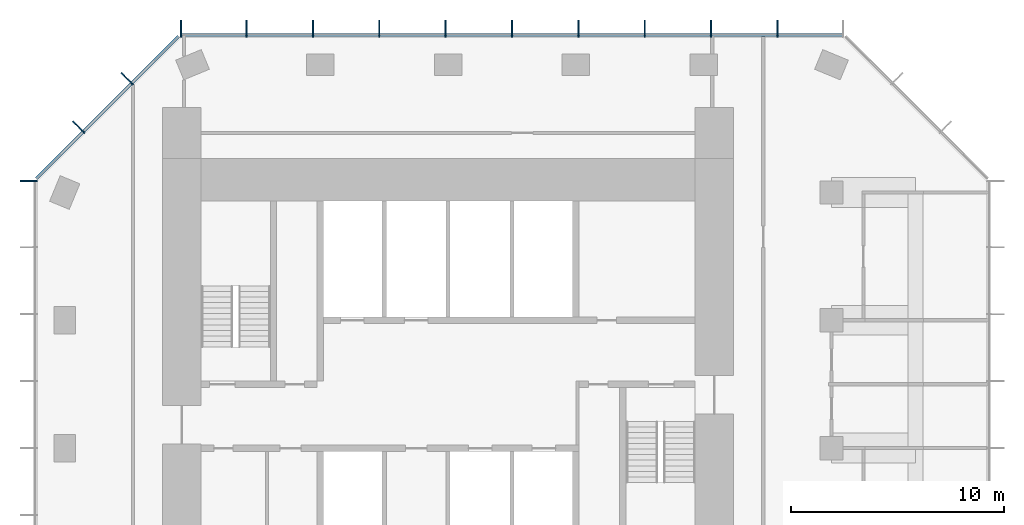
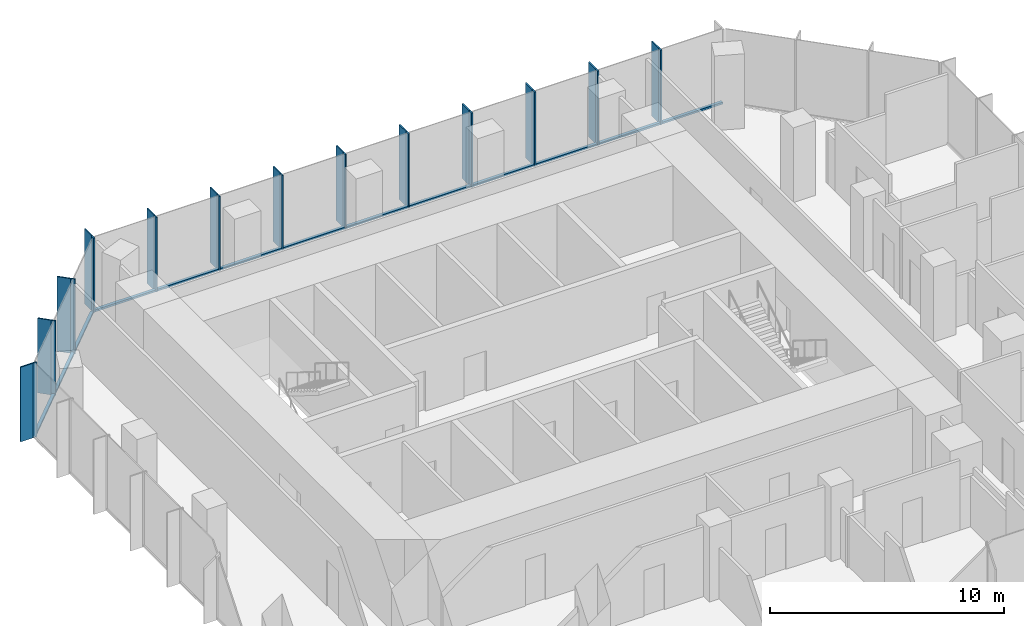
# One storey, part 5 of 11: 39 members, 3 elements without a shape of their own.
"""IFC4 building model written with IfcOpenShell, lengths in metres."""

from ifc_helpers import new_model, si_unit, direction, frame, origin, origin_2d, place, context, subcontext, project, spatial, rectangle, extrude, material, layer, layer_set, material_profile, profile_set, type_object, element, aggregate, save


model = new_model("IFC4")

# Units and contexts
model_context = context("Model", 3, precision=1e-05, world=origin(), true_north=direction((0.0, 1.0)))
body_context = subcontext(model_context, "Body", "Model", "MODEL_VIEW")
ifc_project = project(units=[si_unit("LENGTHUNIT", "METRE"), si_unit("AREAUNIT", "SQUARE_METRE"), si_unit("VOLUMEUNIT", "CUBIC_METRE"), si_unit("PLANEANGLEUNIT", "RADIAN"), si_unit("MASSUNIT", "GRAM", prefix="KILO")], contexts=[model_context])

# Site, building, storey
site_placement = place(None, origin())
site = spatial("IfcSite", under=ifc_project, at=site_placement, CompositionType="ELEMENT")
building_placement = place(site_placement, origin())
building = spatial("IfcBuilding", under=site, at=building_placement, Name="Highveld Stack Headquarters", CompositionType="ELEMENT")
storey_placement = place(building_placement, frame((0.0, 0.0, 284.0)))
storey = spatial("IfcBuildingStorey", under=building, at=storey_placement, Name="L70", CompositionType="ELEMENT", Elevation=284.0)

# Curtain wall, members
ifc_material_1 = material(Name="Aluminium bronze anodised", Category="aluminium")
ifc_layer = layer(ifc_material_1, 0.199951171875)
ifc_layer_set = layer_set([ifc_layer], Name="Aluminium bronze anodised")
curtain_wall_type = type_object("IfcCurtainWallType", Name="CW5 EXECUTIVE UNITISED CURTAIN WALL", PredefinedType="NOTDEFINED", material=ifc_layer_set)
curtain_wall_1_placement = place(storey_placement, origin())
curtain_wall_1 = element("IfcCurtainWall", 1, at=curtain_wall_1_placement, inside=storey, type_object=curtain_wall_type, Name="Curtain wall CW5 L70 N", PredefinedType="NOTDEFINED")
ifc_material_2 = material(Name="Aluminium bronze anodised", Category="aluminium")
ifc_material_profile_1 = material_profile(ifc_material_2, rectangle(XDim=0.60009765625, YDim=0.06005859375, at=origin_2d()), Name="FIN 600x60")
ifc_profile_set_1 = profile_set([ifc_material_profile_1], Name="Aluminium bronze anodised")
member_type_1 = type_object("IfcMemberType", Name="CW5 BRONZE FIN 600x60", PredefinedType="USERDEFINED", material=ifc_profile_set_1)
member_1_placement = place(storey_placement, frame((21.4638671875, 19.800048828125, 0.0), z_axis=(0.0, 0.0, 1.0), x_axis=(0.0, -1.0, 0.0)))
member_1 = element("IfcMember", 2, at=member_1_placement, type_object=member_type_1, Name="CW5 fin L70 2", ObjectType="FIN", PredefinedType="USERDEFINED", context=body_context, shape_type="SweptSolid", body=[
    extrude(rectangle(XDim=0.60009765625, YDim=0.06005859375, at=origin_2d()), origin(), (0.0, 0.0, 1.0), 3.89990234375),
])
member_2_placement = place(storey_placement, frame((18.347900390625, 19.800048828125, 0.0), z_axis=(0.0, 0.0, 1.0), x_axis=(0.0, -1.0, 0.0)))
member_2 = element("IfcMember", 3, at=member_2_placement, type_object=member_type_1, Name="CW5 fin L70 3", ObjectType="FIN", PredefinedType="USERDEFINED", context=body_context, shape_type="SweptSolid", body=[
    extrude(rectangle(XDim=0.60009765625, YDim=0.06005859375, at=origin_2d()), origin(), (0.0, 0.0, 1.0), 3.89990234375),
])
member_3_placement = place(storey_placement, frame((15.23193359375, 19.800048828125, 0.0), z_axis=(0.0, 0.0, 1.0), x_axis=(0.0, -1.0, 0.0)))
member_3 = element("IfcMember", 4, at=member_3_placement, type_object=member_type_1, Name="CW5 fin L70 4", ObjectType="FIN", PredefinedType="USERDEFINED", context=body_context, shape_type="SweptSolid", body=[
    extrude(rectangle(XDim=0.60009765625, YDim=0.06005859375, at=origin_2d()), origin(), (0.0, 0.0, 1.0), 3.89990234375),
])
member_4_placement = place(storey_placement, frame((12.115966796875, 19.800048828125, 0.0), z_axis=(0.0, 0.0, 1.0), x_axis=(0.0, -1.0, 0.0)))
member_4 = element("IfcMember", 5, at=member_4_placement, type_object=member_type_1, Name="CW5 fin L70 5", ObjectType="FIN", PredefinedType="USERDEFINED", context=body_context, shape_type="SweptSolid", body=[
    extrude(rectangle(XDim=0.60009765625, YDim=0.06005859375, at=origin_2d()), origin(), (0.0, 0.0, 1.0), 3.89990234375),
])
member_5_placement = place(storey_placement, frame((9.0, 19.800048828125, 0.0), z_axis=(0.0, 0.0, 1.0), x_axis=(0.0, -1.0, 0.0)))
member_5 = element("IfcMember", 6, at=member_5_placement, type_object=member_type_1, Name="CW5 fin L70 6", ObjectType="FIN", PredefinedType="USERDEFINED", context=body_context, shape_type="SweptSolid", body=[
    extrude(rectangle(XDim=0.60009765625, YDim=0.06005859375, at=origin_2d()), origin(), (0.0, 0.0, 1.0), 3.89990234375),
])
member_6_placement = place(storey_placement, frame((5.884033203125, 19.800048828125, 0.0), z_axis=(0.0, 0.0, 1.0), x_axis=(0.0, -1.0, 0.0)))
member_6 = element("IfcMember", 7, at=member_6_placement, type_object=member_type_1, Name="CW5 fin L70 7", ObjectType="FIN", PredefinedType="USERDEFINED", context=body_context, shape_type="SweptSolid", body=[
    extrude(rectangle(XDim=0.60009765625, YDim=0.06005859375, at=origin_2d()), origin(), (0.0, 0.0, 1.0), 3.89990234375),
])
member_7_placement = place(storey_placement, frame((2.76806640625, 19.800048828125, 0.0), z_axis=(0.0, 0.0, 1.0), x_axis=(0.0, -1.0, 0.0)))
member_7 = element("IfcMember", 8, at=member_7_placement, type_object=member_type_1, Name="CW5 fin L70 8", ObjectType="FIN", PredefinedType="USERDEFINED", context=body_context, shape_type="SweptSolid", body=[
    extrude(rectangle(XDim=0.60009765625, YDim=0.06005859375, at=origin_2d()), origin(), (0.0, 0.0, 1.0), 3.89990234375),
])
member_8_placement = place(storey_placement, frame((-0.347900390625, 19.800048828125, 0.0), z_axis=(0.0, 0.0, 1.0), x_axis=(0.0, -1.0, 0.0)))
member_8 = element("IfcMember", 9, at=member_8_placement, type_object=member_type_1, Name="CW5 fin L70 9", ObjectType="FIN", PredefinedType="USERDEFINED", context=body_context, shape_type="SweptSolid", body=[
    extrude(rectangle(XDim=0.60009765625, YDim=0.06005859375, at=origin_2d()), origin(), (0.0, 0.0, 1.0), 3.89990234375),
])
member_9_placement = place(storey_placement, frame((-3.4638671875, 19.800048828125, 0.0), z_axis=(0.0, 0.0, 1.0), x_axis=(0.0, -1.0, 0.0)))
member_9 = element("IfcMember", 10, at=member_9_placement, type_object=member_type_1, Name="CW5 fin L70 10", ObjectType="FIN", PredefinedType="USERDEFINED", context=body_context, shape_type="SweptSolid", body=[
    extrude(rectangle(XDim=0.60009765625, YDim=0.06005859375, at=origin_2d()), origin(), (0.0, 0.0, 1.0), 3.89990234375),
])
member_10_placement = place(storey_placement, frame((-6.54736328125, 19.800048828125, 0.0), z_axis=(0.0, 0.0, 1.0), x_axis=(0.0, -1.0, 0.0)))
member_10 = element("IfcMember", 11, at=member_10_placement, type_object=member_type_1, Name="CW5 fin L70 11", ObjectType="FIN", PredefinedType="USERDEFINED", context=body_context, shape_type="SweptSolid", body=[
    extrude(rectangle(XDim=0.60009765625, YDim=0.06005859375, at=origin_2d()), origin(), (0.0, 0.0, 1.0), 3.89990234375),
])

curtain_wall_2_placement = place(storey_placement, origin())
curtain_wall_2 = element("IfcCurtainWall", 12, at=curtain_wall_2_placement, inside=storey, type_object=curtain_wall_type, Name="Curtain wall CW5 L70 NW", PredefinedType="NOTDEFINED")
member_11_placement = place(storey_placement, frame((-9.135986328125, 17.409423828125, 0.0), z_axis=(0.0, 0.0, 1.0), x_axis=(0.707106781187, -0.707106781187, 0.0)))
member_11 = element("IfcMember", 13, at=member_11_placement, type_object=member_type_1, Name="CW5 fin L70 1", ObjectType="FIN", PredefinedType="USERDEFINED", context=body_context, shape_type="SweptSolid", body=[
    extrude(rectangle(XDim=0.60009765625, YDim=0.06005859375, at=origin_2d()), origin(), (0.0, 0.0, 1.0), 3.89990234375),
])
member_12_placement = place(storey_placement, frame((-11.409423828125, 15.135986328125, 0.0), z_axis=(0.0, 0.0, 1.0), x_axis=(0.707106781187, -0.707106781187, 0.0)))
member_12 = element("IfcMember", 14, at=member_12_placement, type_object=member_type_1, Name="CW5 fin L70 2", ObjectType="FIN", PredefinedType="USERDEFINED", context=body_context, shape_type="SweptSolid", body=[
    extrude(rectangle(XDim=0.60009765625, YDim=0.06005859375, at=origin_2d()), origin(), (0.0, 0.0, 1.0), 3.89990234375),
])

# Curtain wall, member
curtain_wall_3_placement = place(storey_placement, origin())
curtain_wall_3 = element("IfcCurtainWall", 15, at=curtain_wall_3_placement, inside=storey, type_object=curtain_wall_type, Name="Curtain wall CW5 L70 W", PredefinedType="NOTDEFINED")
member_13_placement = place(storey_placement, frame((-13.800048828125, 12.54736328125, 0.0), z_axis=(0.0, 0.0, 1.0), x_axis=(1.0, 0.0, 0.0)))
member_13 = element("IfcMember", 16, at=member_13_placement, type_object=member_type_1, Name="CW5 fin L70 1", ObjectType="FIN", PredefinedType="USERDEFINED", context=body_context, shape_type="SweptSolid", body=[
    extrude(rectangle(XDim=0.60009765625, YDim=0.06005859375, at=origin_2d()), origin(), (0.0, 0.0, 1.0), 3.89990234375),
])

# Member
ifc_material_3 = material(Name="Aluminium bronze anodised", Category="aluminium")
ifc_material_profile_2 = material_profile(ifc_material_3, rectangle(XDim=0.199951171875, YDim=0.06494140625, at=origin_2d()), Name="CW5 MULLION 65x200")
ifc_profile_set_2 = profile_set([ifc_material_profile_2], Name="Aluminium bronze anodised")
member_type_2 = type_object("IfcMemberType", Name="CW5 MULLION 65x200", PredefinedType="MULLION", material=ifc_profile_set_2)
member_14_placement = place(storey_placement, frame((21.4638671875, 19.39990234375, 0.0), z_axis=(0.0, 0.0, 1.0), x_axis=(0.0, -1.0, 0.0)))
member_14 = element("IfcMember", 17, at=member_14_placement, type_object=member_type_2, Name="CW5 mullion L70 2", PredefinedType="MULLION", context=body_context, shape_type="SweptSolid", body=[
    extrude(rectangle(XDim=0.199951171875, YDim=0.06494140625, at=origin_2d()), origin(), (0.0, 0.0, 1.0), 3.89990234375),
])

member_15_placement = place(storey_placement, frame((18.347900390625, 19.39990234375, 0.0), z_axis=(0.0, 0.0, 1.0), x_axis=(0.0, -1.0, 0.0)))
member_15 = element("IfcMember", 18, at=member_15_placement, type_object=member_type_2, Name="CW5 mullion L70 3", PredefinedType="MULLION", context=body_context, shape_type="SweptSolid", body=[
    extrude(rectangle(XDim=0.199951171875, YDim=0.06494140625, at=origin_2d()), origin(), (0.0, 0.0, 1.0), 3.89990234375),
])

member_16_placement = place(storey_placement, frame((15.23193359375, 19.39990234375, 0.0), z_axis=(0.0, 0.0, 1.0), x_axis=(0.0, -1.0, 0.0)))
member_16 = element("IfcMember", 19, at=member_16_placement, type_object=member_type_2, Name="CW5 mullion L70 4", PredefinedType="MULLION", context=body_context, shape_type="SweptSolid", body=[
    extrude(rectangle(XDim=0.199951171875, YDim=0.06494140625, at=origin_2d()), origin(), (0.0, 0.0, 1.0), 3.89990234375),
])

member_17_placement = place(storey_placement, frame((12.115966796875, 19.39990234375, 0.0), z_axis=(0.0, 0.0, 1.0), x_axis=(0.0, -1.0, 0.0)))
member_17 = element("IfcMember", 20, at=member_17_placement, type_object=member_type_2, Name="CW5 mullion L70 5", PredefinedType="MULLION", context=body_context, shape_type="SweptSolid", body=[
    extrude(rectangle(XDim=0.199951171875, YDim=0.06494140625, at=origin_2d()), origin(), (0.0, 0.0, 1.0), 3.89990234375),
])

member_18_placement = place(storey_placement, frame((9.0, 19.39990234375, 0.0), z_axis=(0.0, 0.0, 1.0), x_axis=(0.0, -1.0, 0.0)))
member_18 = element("IfcMember", 21, at=member_18_placement, type_object=member_type_2, Name="CW5 mullion L70 6", PredefinedType="MULLION", context=body_context, shape_type="SweptSolid", body=[
    extrude(rectangle(XDim=0.199951171875, YDim=0.06494140625, at=origin_2d()), origin(), (0.0, 0.0, 1.0), 3.89990234375),
])

member_19_placement = place(storey_placement, frame((5.884033203125, 19.39990234375, 0.0), z_axis=(0.0, 0.0, 1.0), x_axis=(0.0, -1.0, 0.0)))
member_19 = element("IfcMember", 22, at=member_19_placement, type_object=member_type_2, Name="CW5 mullion L70 7", PredefinedType="MULLION", context=body_context, shape_type="SweptSolid", body=[
    extrude(rectangle(XDim=0.199951171875, YDim=0.06494140625, at=origin_2d()), origin(), (0.0, 0.0, 1.0), 3.89990234375),
])

member_20_placement = place(storey_placement, frame((2.76806640625, 19.39990234375, 0.0), z_axis=(0.0, 0.0, 1.0), x_axis=(0.0, -1.0, 0.0)))
member_20 = element("IfcMember", 23, at=member_20_placement, type_object=member_type_2, Name="CW5 mullion L70 8", PredefinedType="MULLION", context=body_context, shape_type="SweptSolid", body=[
    extrude(rectangle(XDim=0.199951171875, YDim=0.06494140625, at=origin_2d()), origin(), (0.0, 0.0, 1.0), 3.89990234375),
])

member_21_placement = place(storey_placement, frame((-0.347900390625, 19.39990234375, 0.0), z_axis=(0.0, 0.0, 1.0), x_axis=(0.0, -1.0, 0.0)))
member_21 = element("IfcMember", 24, at=member_21_placement, type_object=member_type_2, Name="CW5 mullion L70 9", PredefinedType="MULLION", context=body_context, shape_type="SweptSolid", body=[
    extrude(rectangle(XDim=0.199951171875, YDim=0.06494140625, at=origin_2d()), origin(), (0.0, 0.0, 1.0), 3.89990234375),
])

member_22_placement = place(storey_placement, frame((-3.4638671875, 19.39990234375, 0.0), z_axis=(0.0, 0.0, 1.0), x_axis=(0.0, -1.0, 0.0)))
member_22 = element("IfcMember", 25, at=member_22_placement, type_object=member_type_2, Name="CW5 mullion L70 10", PredefinedType="MULLION", context=body_context, shape_type="SweptSolid", body=[
    extrude(rectangle(XDim=0.199951171875, YDim=0.06494140625, at=origin_2d()), origin(), (0.0, 0.0, 1.0), 3.89990234375),
])

member_23_placement = place(storey_placement, frame((-6.54736328125, 19.39990234375, 0.0), z_axis=(0.0, 0.0, 1.0), x_axis=(0.0, -1.0, 0.0)))
member_23 = element("IfcMember", 26, at=member_23_placement, type_object=member_type_2, Name="CW5 mullion L70 11", PredefinedType="MULLION", context=body_context, shape_type="SweptSolid", body=[
    extrude(rectangle(XDim=0.199951171875, YDim=0.06494140625, at=origin_2d()), origin(), (0.0, 0.0, 1.0), 3.89990234375),
])

member_24_placement = place(storey_placement, frame((-8.853271484375, 17.126708984375, 0.0), z_axis=(0.0, 0.0, 1.0), x_axis=(0.707106781187, -0.707106781187, 0.0)))
member_24 = element("IfcMember", 27, at=member_24_placement, type_object=member_type_2, Name="CW5 mullion L70 1", PredefinedType="MULLION", context=body_context, shape_type="SweptSolid", body=[
    extrude(rectangle(XDim=0.199951171875, YDim=0.06494140625, at=origin_2d()), origin(), (0.0, 0.0, 1.0), 3.89990234375),
])

member_25_placement = place(storey_placement, frame((-11.126708984375, 14.853271484375, 0.0), z_axis=(0.0, 0.0, 1.0), x_axis=(0.707106781187, -0.707106781187, 0.0)))
member_25 = element("IfcMember", 28, at=member_25_placement, type_object=member_type_2, Name="CW5 mullion L70 2", PredefinedType="MULLION", context=body_context, shape_type="SweptSolid", body=[
    extrude(rectangle(XDim=0.199951171875, YDim=0.06494140625, at=origin_2d()), origin(), (0.0, 0.0, 1.0), 3.89990234375),
])

member_26_placement = place(storey_placement, frame((-13.39990234375, 12.54736328125, 0.0), z_axis=(0.0, 0.0, 1.0), x_axis=(1.0, 0.0, 0.0)))
member_26 = element("IfcMember", 29, at=member_26_placement, type_object=member_type_2, Name="CW5 mullion L70 1", PredefinedType="MULLION", context=body_context, shape_type="SweptSolid", body=[
    extrude(rectangle(XDim=0.199951171875, YDim=0.06494140625, at=origin_2d()), origin(), (0.0, 0.0, 1.0), 3.89990234375),
])

aggregate(curtain_wall_3, [member_26, member_13])

ifc_material_4 = material(Name="Aluminium bronze anodised", Category="aluminium")
ifc_material_profile_3 = material_profile(ifc_material_4, rectangle(XDim=0.14990234375, YDim=0.10009765625, at=origin_2d()), Name="CW5 TRANSOM 150x100")
ifc_profile_set_3 = profile_set([ifc_material_profile_3], Name="Aluminium bronze anodised")
member_type_3 = type_object("IfcMemberType", Name="CW5 STACK TRANSOM 150x100", PredefinedType="USERDEFINED", material=ifc_profile_set_3)
member_27_placement = place(storey_placement, frame((24.514892578125, 19.39990234375, 0.050048828125), z_axis=(-1.0, 0.0, 0.0), x_axis=(0.0, -1.0, 0.0)))
member_27 = element("IfcMember", 30, at=member_27_placement, type_object=member_type_3, Name="CW5 transom L70 1.1", ObjectType="TRANSOM", PredefinedType="USERDEFINED", context=body_context, shape_type="SweptSolid", body=[
    extrude(rectangle(XDim=0.14990234375, YDim=0.10009765625, at=origin_2d()), origin(), (0.0, 0.0, 1.0), 3.0185546875),
])

member_28_placement = place(storey_placement, frame((21.431396484375, 19.39990234375, 0.050048828125), z_axis=(-1.0, 0.0, 0.0), x_axis=(0.0, -1.0, 0.0)))
member_28 = element("IfcMember", 31, at=member_28_placement, type_object=member_type_3, Name="CW5 transom L70 2.1", ObjectType="TRANSOM", PredefinedType="USERDEFINED", context=body_context, shape_type="SweptSolid", body=[
    extrude(rectangle(XDim=0.14990234375, YDim=0.10009765625, at=origin_2d()), origin(), (0.0, 0.0, 1.0), 3.051025390625),
])

member_29_placement = place(storey_placement, frame((18.3154296875, 19.39990234375, 0.050048828125), z_axis=(-1.0, 0.0, 0.0), x_axis=(0.0, -1.0, 0.0)))
member_29 = element("IfcMember", 32, at=member_29_placement, type_object=member_type_3, Name="CW5 transom L70 3.1", ObjectType="TRANSOM", PredefinedType="USERDEFINED", context=body_context, shape_type="SweptSolid", body=[
    extrude(rectangle(XDim=0.14990234375, YDim=0.10009765625, at=origin_2d()), origin(), (0.0, 0.0, 1.0), 3.051025390625),
])

member_30_placement = place(storey_placement, frame((15.199462890625, 19.39990234375, 0.050048828125), z_axis=(-1.0, 0.0, 0.0), x_axis=(0.0, -1.0, 0.0)))
member_30 = element("IfcMember", 33, at=member_30_placement, type_object=member_type_3, Name="CW5 transom L70 4.1", ObjectType="TRANSOM", PredefinedType="USERDEFINED", context=body_context, shape_type="SweptSolid", body=[
    extrude(rectangle(XDim=0.14990234375, YDim=0.10009765625, at=origin_2d()), origin(), (0.0, 0.0, 1.0), 3.051025390625),
])

member_31_placement = place(storey_placement, frame((12.08349609375, 19.39990234375, 0.050048828125), z_axis=(-1.0, 0.0, 0.0), x_axis=(0.0, -1.0, 0.0)))
member_31 = element("IfcMember", 34, at=member_31_placement, type_object=member_type_3, Name="CW5 transom L70 5.1", ObjectType="TRANSOM", PredefinedType="USERDEFINED", context=body_context, shape_type="SweptSolid", body=[
    extrude(rectangle(XDim=0.14990234375, YDim=0.10009765625, at=origin_2d()), origin(), (0.0, 0.0, 1.0), 3.051025390625),
])

member_32_placement = place(storey_placement, frame((8.967529296875, 19.39990234375, 0.050048828125), z_axis=(-1.0, 0.0, 0.0), x_axis=(0.0, -1.0, 0.0)))
member_32 = element("IfcMember", 35, at=member_32_placement, type_object=member_type_3, Name="CW5 transom L70 6.1", ObjectType="TRANSOM", PredefinedType="USERDEFINED", context=body_context, shape_type="SweptSolid", body=[
    extrude(rectangle(XDim=0.14990234375, YDim=0.10009765625, at=origin_2d()), origin(), (0.0, 0.0, 1.0), 3.051025390625),
])

member_33_placement = place(storey_placement, frame((5.8515625, 19.39990234375, 0.050048828125), z_axis=(-1.0, 0.0, 0.0), x_axis=(0.0, -1.0, 0.0)))
member_33 = element("IfcMember", 36, at=member_33_placement, type_object=member_type_3, Name="CW5 transom L70 7.1", ObjectType="TRANSOM", PredefinedType="USERDEFINED", context=body_context, shape_type="SweptSolid", body=[
    extrude(rectangle(XDim=0.14990234375, YDim=0.10009765625, at=origin_2d()), origin(), (0.0, 0.0, 1.0), 3.051025390625),
])

member_34_placement = place(storey_placement, frame((2.735595703125, 19.39990234375, 0.050048828125), z_axis=(-1.0, 0.0, 0.0), x_axis=(0.0, -1.0, 0.0)))
member_34 = element("IfcMember", 37, at=member_34_placement, type_object=member_type_3, Name="CW5 transom L70 8.1", ObjectType="TRANSOM", PredefinedType="USERDEFINED", context=body_context, shape_type="SweptSolid", body=[
    extrude(rectangle(XDim=0.14990234375, YDim=0.10009765625, at=origin_2d()), origin(), (0.0, 0.0, 1.0), 3.051025390625),
])

member_35_placement = place(storey_placement, frame((-0.38037109375, 19.39990234375, 0.050048828125), z_axis=(-1.0, 0.0, 0.0), x_axis=(0.0, -1.0, 0.0)))
member_35 = element("IfcMember", 38, at=member_35_placement, type_object=member_type_3, Name="CW5 transom L70 9.1", ObjectType="TRANSOM", PredefinedType="USERDEFINED", context=body_context, shape_type="SweptSolid", body=[
    extrude(rectangle(XDim=0.14990234375, YDim=0.10009765625, at=origin_2d()), origin(), (0.0, 0.0, 1.0), 3.051025390625),
])

member_36_placement = place(storey_placement, frame((-3.496337890625, 19.39990234375, 0.050048828125), z_axis=(-1.0, 0.0, 0.0), x_axis=(0.0, -1.0, 0.0)))
member_36 = element("IfcMember", 39, at=member_36_placement, type_object=member_type_3, Name="CW5 transom L70 10.1", ObjectType="TRANSOM", PredefinedType="USERDEFINED", context=body_context, shape_type="SweptSolid", body=[
    extrude(rectangle(XDim=0.14990234375, YDim=0.10009765625, at=origin_2d()), origin(), (0.0, 0.0, 1.0), 3.0185546875),
])

aggregate(curtain_wall_1, [member_14, member_1, member_15, member_2, member_16, member_3, member_17, member_4, member_18, member_5, member_19, member_6, member_20, member_7, member_21, member_8, member_22, member_9, member_23, member_10, member_27, member_28, member_29, member_30, member_31, member_32, member_33, member_34, member_35, member_36])

member_37_placement = place(storey_placement, frame((-6.650634765625, 19.329345703125, 0.050048828125), z_axis=(-0.707106781187, -0.707106781187, 0.0), x_axis=(0.707106781187, -0.707106781187, 0.0)))
member_37 = element("IfcMember", 40, at=member_37_placement, type_object=member_type_3, Name="CW5 transom L70 1.1", ObjectType="TRANSOM", PredefinedType="USERDEFINED", context=body_context, shape_type="SweptSolid", body=[
    extrude(rectangle(XDim=0.14990234375, YDim=0.10009765625, at=origin_2d()), origin(), (0.0, 0.0, 1.0), 3.08251953125),
])

member_38_placement = place(storey_placement, frame((-8.876220703125, 17.103759765625, 0.050048828125), z_axis=(-0.707106781187, -0.707106781187, 0.0), x_axis=(0.707106781187, -0.707106781187, 0.0)))
member_38 = element("IfcMember", 41, at=member_38_placement, type_object=member_type_3, Name="CW5 transom L70 2.1", ObjectType="TRANSOM", PredefinedType="USERDEFINED", context=body_context, shape_type="SweptSolid", body=[
    extrude(rectangle(XDim=0.14990234375, YDim=0.10009765625, at=origin_2d()), origin(), (0.0, 0.0, 1.0), 3.150146484375),
])

member_39_placement = place(storey_placement, frame((-11.149658203125, 14.830322265625, 0.050048828125), z_axis=(-0.707106781187, -0.707106781187, 0.0), x_axis=(0.707106781187, -0.707106781187, 0.0)))
member_39 = element("IfcMember", 42, at=member_39_placement, type_object=member_type_3, Name="CW5 transom L70 3.1", ObjectType="TRANSOM", PredefinedType="USERDEFINED", context=body_context, shape_type="SweptSolid", body=[
    extrude(rectangle(XDim=0.14990234375, YDim=0.10009765625, at=origin_2d()), origin(), (0.0, 0.0, 1.0), 3.08251953125),
])

aggregate(curtain_wall_2, [member_24, member_11, member_25, member_12, member_37, member_38, member_39])

save(model, "model.ifc")
